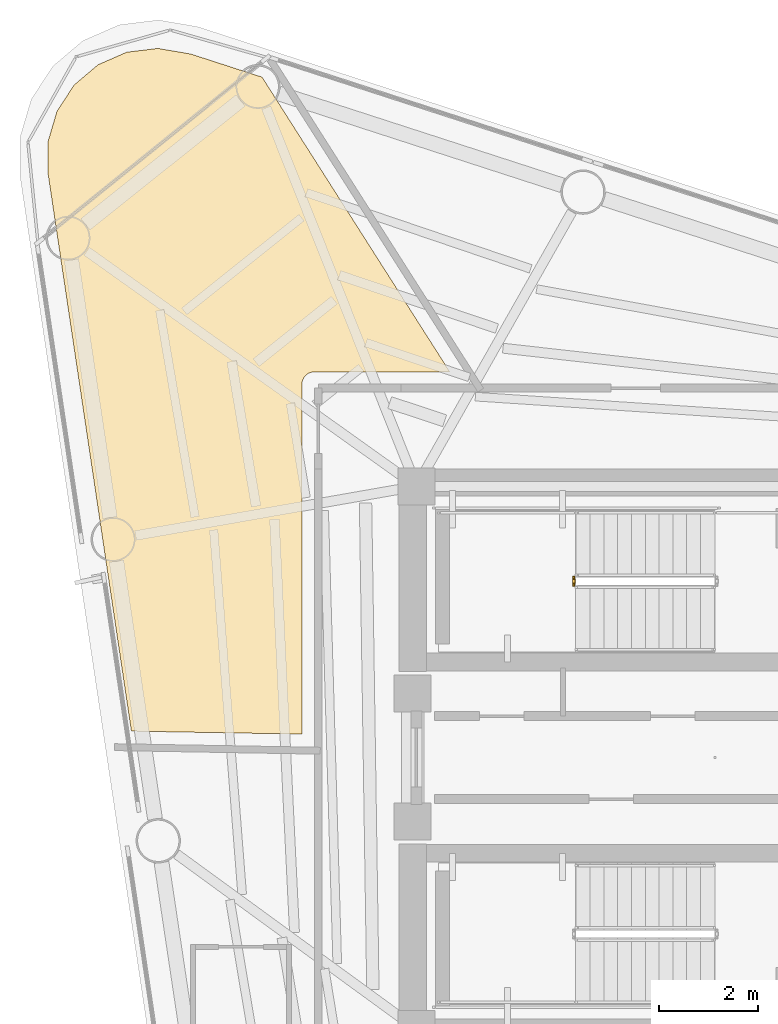
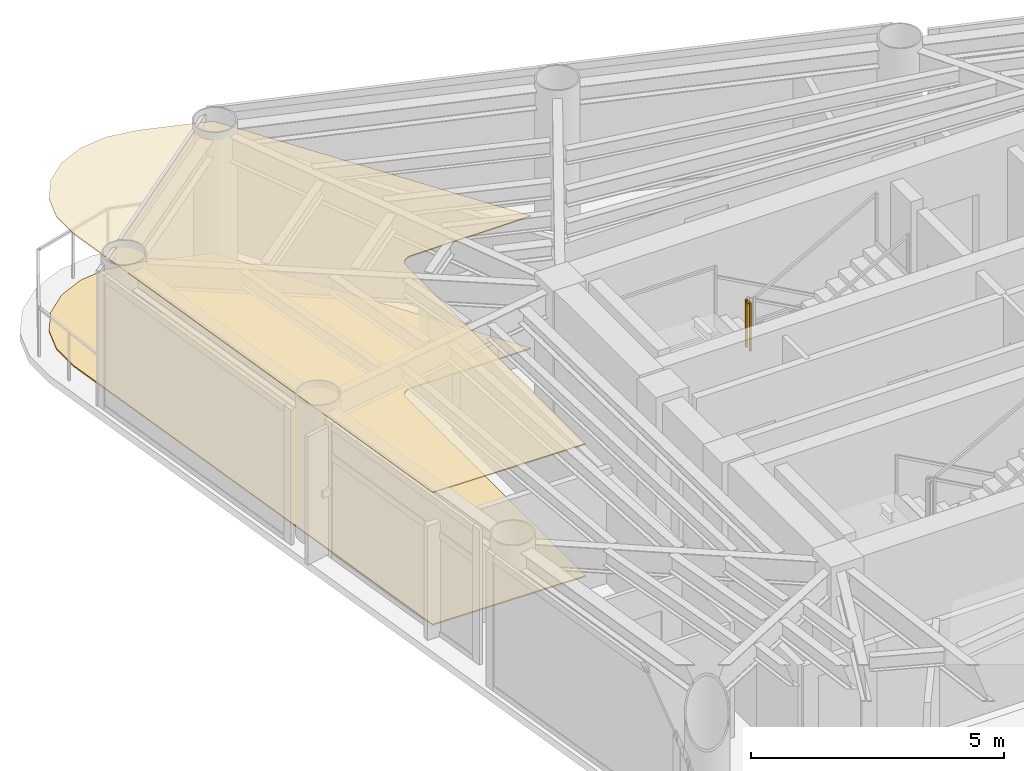
# One storey, part 8 of 10: 2 coverings, 1 railing.
"""IFC4 building model written with IfcOpenShell, lengths in metres."""

from ifc_helpers import new_model, si_unit, direction, frame, origin, origin_2d, place, context, subcontext, project, spatial, polyline, rectangle, outline, extrude, material, layer, layer_set, type_object, element, save


model = new_model("IFC4")

# Units and contexts
model_context = context("Model", 3, precision=1e-05, world=origin(), true_north=direction((0.0, 1.0)))
body_context = subcontext(model_context, "Body", "Model", "MODEL_VIEW")
ifc_project = project(units=[si_unit("LENGTHUNIT", "METRE"), si_unit("AREAUNIT", "SQUARE_METRE"), si_unit("VOLUMEUNIT", "CUBIC_METRE"), si_unit("PLANEANGLEUNIT", "RADIAN"), si_unit("MASSUNIT", "GRAM", prefix="KILO")], contexts=[model_context])

# Site, building, storey
site_placement = place(None, origin())
site = spatial("IfcSite", under=ifc_project, at=site_placement, CompositionType="ELEMENT")
building_placement = place(site_placement, origin())
building = spatial("IfcBuilding", under=site, at=building_placement, Name="Yunling Apex Tower", CompositionType="ELEMENT")
storey_placement = place(building_placement, frame((0.0, 0.0, 277.949951171875)))
storey = spatial("IfcBuildingStorey", under=building, at=storey_placement, Name="L68", CompositionType="ELEMENT", Elevation=277.949951171875)

# Coverings
ifc_material_1 = material(Name="Acoustic mineral fibre ceiling")
ifc_layer_1 = layer(ifc_material_1, 0.02490234375)
ifc_layer_set_1 = layer_set([ifc_layer_1], Name="Acoustic mineral fibre ceiling")
covering_type_1 = type_object("IfcCoveringType", Name="CV-CLG-1", PredefinedType="CEILING", material=ifc_layer_set_1)
covering_1_placement = place(storey_placement, frame((0.0, 0.0, 3.195068359375)))
element("IfcCovering", 1, at=covering_1_placement, inside=storey, type_object=covering_type_1, Name="CV-CL-SP-L68-AMN6", PredefinedType="CEILING", context=body_context, shape_type="SweptSolid", body=[
    extrude(outline(polyline([(-13.516357421875, 12.49462890625), (-13.33642578125, 13.103515625), (-12.989990234375, 13.63525390625), (-12.505615234375, 14.045654296875), (-11.924072265625, 14.30029296875), (-11.2939453125, 14.377685546875), (-10.626708984375, 14.26416015625), (-9.1796875, 13.795166015625), (-5.373291015625, 7.820068359375), (-8.123779296875, 7.820068359375), (-8.14501953125, 7.8193359375), (-8.170654296875, 7.81494140625), (-8.1923828125, 7.8095703125), (-8.21484375, 7.801513671875), (-8.23828125, 7.790771484375), (-8.260009765625, 7.77734375), (-8.27880859375, 7.763427734375), (-8.296875, 7.746826171875), (-8.3134765625, 7.728759765625), (-8.327392578125, 7.7099609375), (-8.3408203125, 7.688232421875), (-8.3515625, 7.664794921875), (-8.359619140625, 7.642578125), (-8.364990234375, 7.62060546875), (-8.369384765625, 7.594970703125), (-8.3701171875, 7.57373046875), (-8.3701171875, 0.476318359375), (-11.828125, 0.53662109375), (-13.514404296875, 11.818115234375), (-13.516357421875, 12.49462890625)])), origin(), (0.0, 0.0, 1.0), 0.02490234375),
])
ifc_material_2 = material(Name="Polished granite stone", Category="masonry")
ifc_layer_2 = layer(ifc_material_2, 0.030029296875)
ifc_layer_set_2 = layer_set([ifc_layer_2], Name="Polished granite stone")
covering_type_2 = type_object("IfcCoveringType", Name="CV-FLR-1", PredefinedType="FLOORING", material=ifc_layer_set_2)
covering_2_placement = place(storey_placement, origin())
element("IfcCovering", 2, at=covering_2_placement, inside=storey, type_object=covering_type_2, Name="CV-FL-SP-L68-AMN6", PredefinedType="FLOORING", context=body_context, shape_type="SweptSolid", body=[
    extrude(outline(polyline([(-13.516357421875, 12.49462890625), (-13.33642578125, 13.103515625), (-12.989990234375, 13.63525390625), (-12.505615234375, 14.045654296875), (-11.924072265625, 14.30029296875), (-11.2939453125, 14.377685546875), (-10.626708984375, 14.26416015625), (-9.1796875, 13.795166015625), (-5.373291015625, 7.820068359375), (-8.123779296875, 7.820068359375), (-8.14501953125, 7.8193359375), (-8.170654296875, 7.81494140625), (-8.1923828125, 7.8095703125), (-8.21484375, 7.801513671875), (-8.23828125, 7.790771484375), (-8.260009765625, 7.77734375), (-8.27880859375, 7.763427734375), (-8.296875, 7.746826171875), (-8.3134765625, 7.728759765625), (-8.327392578125, 7.7099609375), (-8.3408203125, 7.688232421875), (-8.3515625, 7.664794921875), (-8.359619140625, 7.642578125), (-8.364990234375, 7.62060546875), (-8.369384765625, 7.594970703125), (-8.3701171875, 7.57373046875), (-8.3701171875, 0.476318359375), (-11.828125, 0.53662109375), (-13.514404296875, 11.818115234375), (-13.516357421875, 12.49462890625)])), origin(), (0.0, 0.0, 1.0), 0.030029296875),
])

# Railing
ifc_material_3 = material(Name="Steel Q355B", Category="steel")
railing_type = type_object("IfcRailingType", Name="RL-GRD-1150", PredefinedType="GUARDRAIL", material=ifc_material_3)
railing_placement = place(storey_placement, frame((-2.860107421875, 3.64990234375, 1.699951171875)))
element("IfcRailing", 3, at=railing_placement, inside=storey, type_object=railing_type, Name="L68 ST-1 stair guard 2", PredefinedType="GUARDRAIL", context=body_context, shape_type="SweptSolid", body=[
    extrude(rectangle(XDim=0.0439453125, YDim=0.0439453125, at=origin_2d()), origin(), (0.0, 0.0, 1.0), 1.14990234375),
    extrude(rectangle(XDim=0.0439453125, YDim=0.0439453125, at=origin_2d()), frame((0.0, -0.14990234375, 0.0)), (0.0, 0.0, 1.0), 1.14990234375),
    extrude(rectangle(XDim=0.050048828125, YDim=0.050048828125, at=origin_2d()), frame((0.0, -0.038330078125, 1.125), z_axis=(0.0, -1.0, 0.0), x_axis=(1.0, 0.0, 0.0)), (0.0, 0.0, 1.0), 0.0732421875),
])

save(model, "model.ifc")
